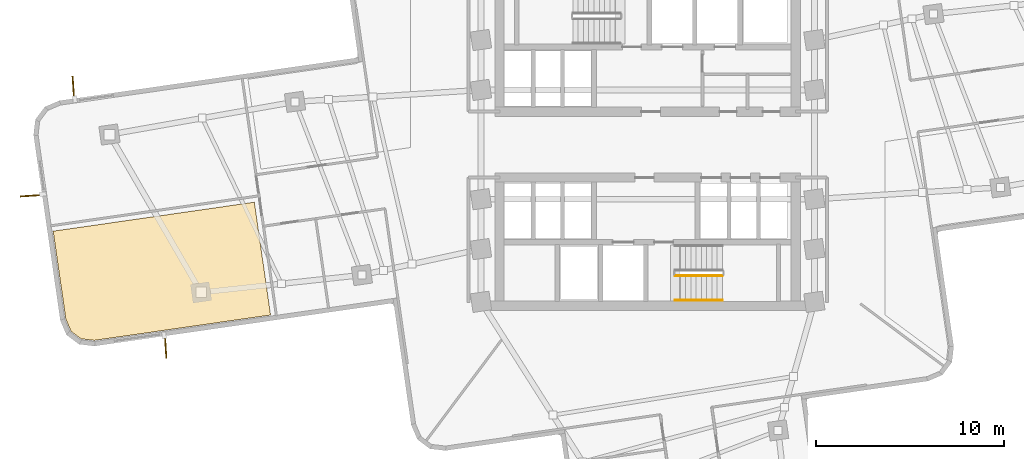
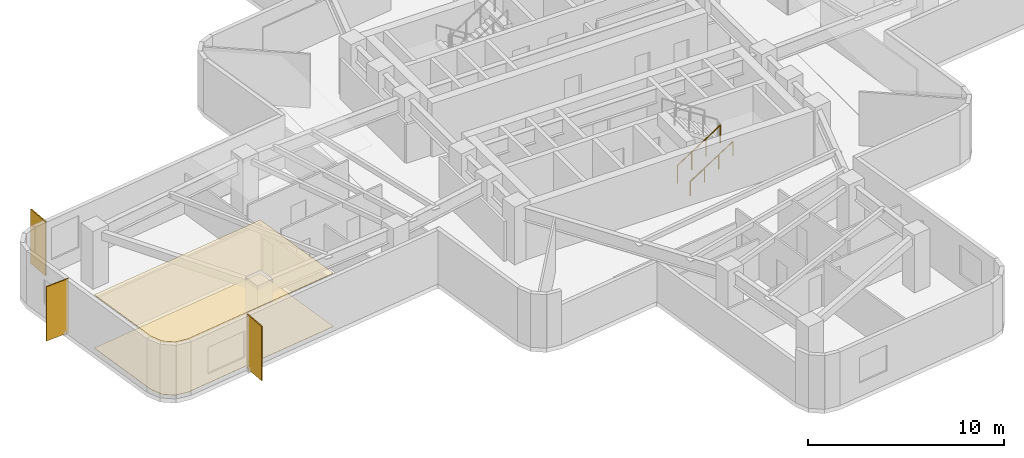
# One storey, part 7 of 10: 3 shading devices, 2 coverings, 2 railings.
"""IFC4 building model written with IfcOpenShell, lengths in metres."""

from ifc_helpers import new_model, si_unit, direction, frame, origin, origin_2d, place, context, subcontext, project, spatial, polyline, rectangle, circle, outline, extrude, material, layer, layer_set, type_object, element, save


model = new_model("IFC4")

# Units and contexts
model_context = context("Model", 3, precision=1e-05, world=origin(), true_north=direction((0.0, 1.0)))
body_context = subcontext(model_context, "Body", "Model", "MODEL_VIEW")
ifc_project = project(units=[si_unit("LENGTHUNIT", "METRE"), si_unit("AREAUNIT", "SQUARE_METRE"), si_unit("VOLUMEUNIT", "CUBIC_METRE"), si_unit("PLANEANGLEUNIT", "RADIAN"), si_unit("MASSUNIT", "GRAM", prefix="KILO")], contexts=[model_context])

# Site, building, storey
site_placement = place(None, origin())
site = spatial("IfcSite", under=ifc_project, at=site_placement, CompositionType="ELEMENT")
building_placement = place(site_placement, origin())
building = spatial("IfcBuilding", under=site, at=building_placement, Name="Solmarez Civic Tower", CompositionType="ELEMENT")
storey_placement = place(building_placement, frame((0.0, 0.0, 85.679931640625)))
storey = spatial("IfcBuildingStorey", under=building, at=storey_placement, Name="L22", CompositionType="ELEMENT", Elevation=85.679931640625)

# Coverings
ifc_material_1 = material(Name="Perforated Mineral-Fibre Acoustic Ceiling")
ifc_layer_1 = layer(ifc_material_1, 0.02490234375)
ifc_layer_set_1 = layer_set([ifc_layer_1], Name="Perforated Mineral-Fibre Acoustic Ceiling")
covering_type_1 = type_object("IfcCoveringType", Name="COV-CEIL-ACOUSTIC", PredefinedType="CEILING", material=ifc_layer_set_1)
covering_1_placement = place(storey_placement, frame((0.0, 0.0, 3.315185546875)))
element("IfcCovering", 1, at=covering_1_placement, inside=storey, type_object=covering_type_1, Name="L22 Suspended Acoustic Ceiling 4", PredefinedType="CEILING", context=body_context, shape_type="SweptSolid", body=[
    extrude(outline(polyline([(-31.56689453125, -4.59912109375), (-30.89404296875, -9.261962890625), (-30.615966796875, -9.9130859375), (-30.08203125, -10.31201171875), (-29.3779296875, -10.39599609375), (-20.02392578125, -9.049072265625), (-20.886962890625, -3.06005859375), (-31.56689453125, -4.59912109375)])), origin(), (0.0, 0.0, 1.0), 0.02490234375),
])
ifc_material_2 = material(Name="Polished Tropical Stone Terrazzo Flooring", Category="masonry")
ifc_layer_2 = layer(ifc_material_2, 0.02001953125)
ifc_layer_set_2 = layer_set([ifc_layer_2], Name="Polished Tropical Stone Terrazzo Flooring")
covering_type_2 = type_object("IfcCoveringType", Name="COV-FLOOR-TERRAZZO", PredefinedType="FLOORING", material=ifc_layer_set_2)
covering_2_placement = place(storey_placement, origin())
element("IfcCovering", 2, at=covering_2_placement, inside=storey, type_object=covering_type_2, Name="L22 Terrazzo Floor Finish 4", PredefinedType="FLOORING", context=body_context, shape_type="SweptSolid", body=[
    extrude(outline(polyline([(-31.56689453125, -4.59912109375), (-30.89404296875, -9.261962890625), (-30.615966796875, -9.9130859375), (-30.08203125, -10.31201171875), (-29.3779296875, -10.39599609375), (-20.02392578125, -9.049072265625), (-20.886962890625, -3.06005859375), (-31.56689453125, -4.59912109375)])), origin(), (0.0, 0.0, 1.0), 0.02001953125),
])

# Shading devices
ifc_material_3 = material(Name="Bronze Anodised Aluminium EN AW-6063 T6", Category="aluminium")
ifc_layer_3 = layer(ifc_material_3, 0.06494140625)
ifc_layer_set_3 = layer_set([ifc_layer_3], Name="Bronze Anodised Aluminium EN AW-6063 T6")
shading_device_type = type_object("IfcShadingDeviceType", Name="FIN-BRONZE-Z12", PredefinedType="USERDEFINED", material=ifc_layer_set_3)
for number, where, z_axis, x_axis, name in (
    (3, (-25.60009765625, -10.6650390625, -0.039794921875), (0.0, 0.0, 1.0), (0.066221655546, -0.997804937018, 0.0), "L22 Anodised Bronze Solar Fin FIN-L22-01"),
    (4, (-32.652099609375, -2.7099609375, -0.039794921875), (0.0, 0.0, 1.0), (-0.997806092652, -0.066204240555, 0.0), "L22 Anodised Bronze Solar Fin FIN-L22-02"),
    (5, (-30.491943359375, 2.946044921875, -0.039794921875), (0.0, 0.0, 1.0), (-0.066204240555, 0.997806092652, 0.0), "L22 Anodised Bronze Solar Fin FIN-L22-03"),
):
    element("IfcShadingDevice", number, at=place(storey_placement, frame(where, z_axis=z_axis, x_axis=x_axis)), inside=storey, type_object=shading_device_type, Name=name, ObjectType="FIN", PredefinedType="USERDEFINED", context=body_context, shape_type="SweptSolid", body=[
        extrude(rectangle(XDim=1.35009765625, YDim=0.06494140625, at=origin_2d()), origin(), (0.0, 0.0, 1.0), 3.3798828125),
    ])

# Railings
ifc_material_4 = material(Name="Painted Steel Stairwell Safety Guard", Category="steel")
railing_type_1 = type_object("IfcRailingType", Name="GUARD-STAIR-1120", PredefinedType="BALUSTRADE", material=ifc_material_4)
railing_1_placement = place(storey_placement, frame((1.449951171875, -6.969970703125, 0.18017578125)))
element("IfcRailing", 6, at=railing_1_placement, inside=storey, type_object=railing_type_1, Name="L22 ST-2 stair guard 1", PredefinedType="BALUSTRADE", context=body_context, shape_type="SweptSolid", body=[
    extrude(circle(Radius=0.02392578125, at=origin_2d()), frame((0.0, 0.0, 1.09619140625), z_axis=(0.841199657755, 0.0, 0.540724639528), x_axis=(0.0, 1.0, 0.0)), (0.0, 0.0, 1.0), 2.995849609375),
    extrude(circle(Radius=0.02099609375, at=origin_2d()), origin(), (0.0, 0.0, 1.0), 1.072021484375),
    extrude(circle(Radius=0.02099609375, at=origin_2d()), frame((0.840087890625, 0.0, 0.5400390625)), (0.0, 0.0, 1.0), 1.072021484375),
    extrude(circle(Radius=0.02099609375, at=origin_2d()), frame((1.679931640625, 0.0, 1.079833984375)), (0.0, 0.0, 1.0), 1.072021484375),
    extrude(circle(Radius=0.02099609375, at=origin_2d()), frame((2.52001953125, 0.0, 1.619873046875)), (0.0, 0.0, 1.0), 1.072021484375),
])
ifc_material_5 = material(Name="Brushed Stainless Steel Tube Handrail", Category="steel")
railing_type_2 = type_object("IfcRailingType", Name="HANDRAIL-STAIR-900", PredefinedType="HANDRAIL", material=ifc_material_5)
railing_2_placement = place(storey_placement, frame((1.449951171875, -8.27001953125, 0.18017578125)))
element("IfcRailing", 7, at=railing_2_placement, inside=storey, type_object=railing_type_2, Name="L22 ST-2 stair handrail 1", PredefinedType="HANDRAIL", context=body_context, shape_type="SweptSolid", body=[
    extrude(circle(Radius=0.02392578125, at=origin_2d()), frame((0.0, 0.0, 0.8759765625), z_axis=(0.841199657755, 0.0, 0.540724639528), x_axis=(0.0, 1.0, 0.0)), (0.0, 0.0, 1.0), 2.995849609375),
    extrude(circle(Radius=0.02099609375, at=origin_2d()), origin(), (0.0, 0.0, 1.0), 0.851806640625),
    extrude(circle(Radius=0.02099609375, at=origin_2d()), frame((0.840087890625, 0.0, 0.5400390625)), (0.0, 0.0, 1.0), 0.851806640625),
    extrude(circle(Radius=0.02099609375, at=origin_2d()), frame((1.679931640625, 0.0, 1.079833984375)), (0.0, 0.0, 1.0), 0.851806640625),
    extrude(circle(Radius=0.02099609375, at=origin_2d()), frame((2.52001953125, 0.0, 1.619873046875)), (0.0, 0.0, 1.0), 0.851806640625),
])

save(model, "model.ifc")
